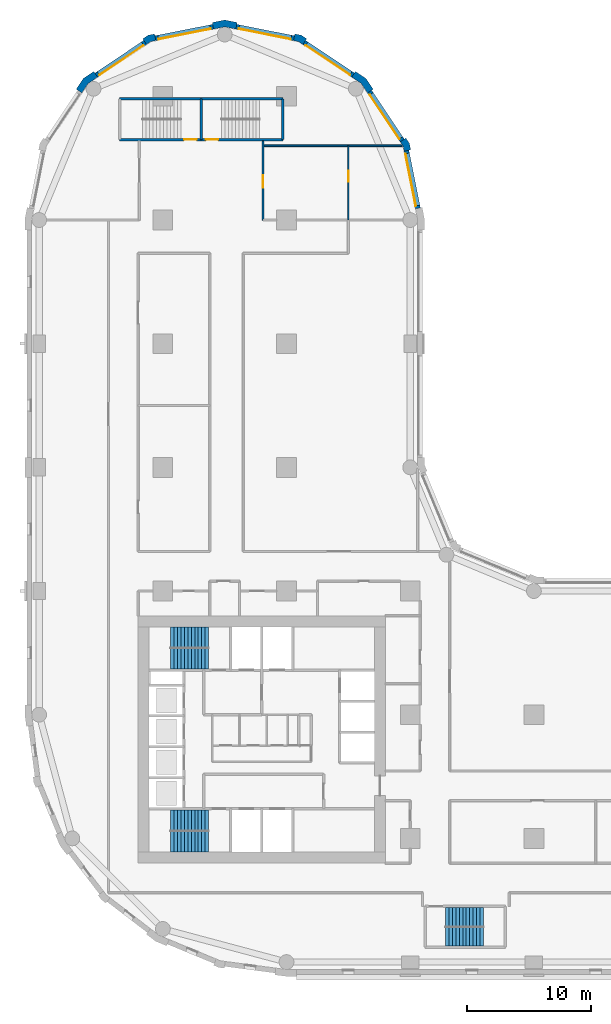
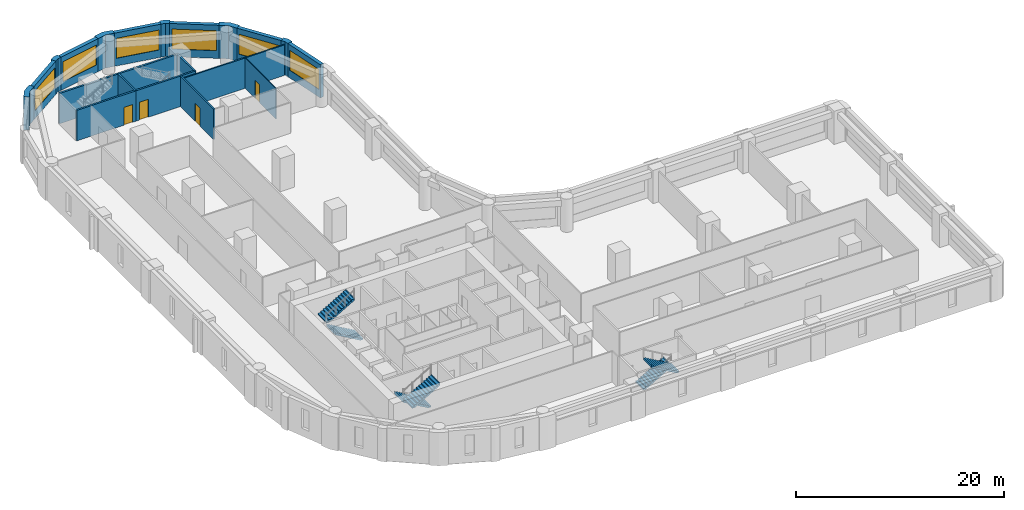
# One storey, part 7 of 10: 21 walls, 6 stair flights, 6 windows, 4 doors, 10 openings, 3 elements without a shape of their own.
"""IFC4 building model written with IfcOpenShell, lengths in metres."""

from ifc_helpers import new_model, si_unit, direction, frame, frame_2d, origin, place, context, subcontext, project, spatial, polyline, rectangle, outline, extrude, material, layer, layer_set, type_object, element, fill, aggregate, save


model = new_model("IFC4")

# Units and contexts
model_context = context("Model", 3, precision=1e-05, world=origin(), true_north=direction((0.0, 1.0)))
body_context = subcontext(model_context, "Body", "Model", "MODEL_VIEW")
ifc_project = project(units=[si_unit("LENGTHUNIT", "METRE"), si_unit("AREAUNIT", "SQUARE_METRE"), si_unit("VOLUMEUNIT", "CUBIC_METRE"), si_unit("PLANEANGLEUNIT", "RADIAN"), si_unit("MASSUNIT", "GRAM", prefix="KILO")], contexts=[model_context])

# Site, building, storey
site_placement = place(None, origin())
site = spatial("IfcSite", under=ifc_project, at=site_placement, CompositionType="ELEMENT")
building_placement = place(site_placement, origin())
building = spatial("IfcBuilding", under=site, at=building_placement, Name="Qaws Garden Tower", CompositionType="ELEMENT")
storey_placement = place(building_placement, frame((0.0, 0.0, 35.39990234375)))
storey = spatial("IfcBuildingStorey", under=building, at=storey_placement, Name="L08", CompositionType="ELEMENT", Elevation=35.39990234375)

# Wall, opening, window
ifc_material_1 = material(Name="Clay facing brick masonry", Category="masonry")
ifc_layer_1 = layer(ifc_material_1, 0.39990234375)
ifc_layer_set_1 = layer_set([ifc_layer_1], Name="Clay facing brick masonry")
wall_type_1 = type_object("IfcWallType", Name="Brick infill wall 400", PredefinedType="SOLIDWALL", material=ifc_layer_set_1)
wall_1_placement = place(storey_placement, frame((30.628662109375, 60.940673828125, 0.0), z_axis=(0.0, 0.0, 1.0), x_axis=(-0.195098533057, 0.98078364709, 0.0)))
wall_1 = element("IfcWall", 1, at=wall_1_placement, inside=storey, type_object=wall_type_1, Name="E-L08-infill-15", PredefinedType="SOLIDWALL", context=body_context, shape_type="SweptSolid", body=[
    extrude(rectangle(XDim=4.752685546875, YDim=0.39990234375, at=frame_2d((2.37646484375, 0.0))), origin(), (0.0, 0.0, 1.0), 3.900146484375),
])
opening_1_placement = place(wall_1_placement, frame((0.226318359375, 0.0, 0.89990234375)))
opening_1 = element("IfcOpeningElement", 2, at=opening_1_placement, cuts=wall_1, Name="Opening W06", PredefinedType="OPENING", context=body_context, shape_type="SweptSolid", body=[
    extrude(rectangle(XDim=4.300048828125, YDim=2.35009765625, at=frame_2d((2.14990234375, 1.175048828125))), frame((0.0, 0.2099609375, 0.0), z_axis=(0.0, -1.0, 0.0), x_axis=(1.0, 0.0, 0.0)), (0.0, 0.0, 1.0), 0.419921875),
])
ifc_material_2 = material(Name="Aluminium framed window, clear glazing", Category="aluminium")
window_type = type_object("IfcWindowType", Name="Ribbon window 4300 x 2350", PartitioningType="DOUBLE_PANEL_VERTICAL", PredefinedType="WINDOW", material=ifc_material_2)
window_1_placement = place(opening_1_placement, origin())
window_1 = element("IfcWindow", 3, at=window_1_placement, inside=storey, type_object=window_type, Name="E-L08-window-15-0", OverallHeight=2.35009765625, OverallWidth=4.300048828125, PartitioningType="SINGLE_PANEL", PredefinedType="WINDOW", context=body_context, shape_type="SweptSolid", body=[
    extrude(rectangle(XDim=4.300048828125, YDim=2.35009765625, at=frame_2d((2.14990234375, 1.175048828125))), frame((0.0, 0.159912109375, 0.0), z_axis=(0.0, -1.0, 0.0), x_axis=(1.0, 0.0, 0.0)), (0.0, 0.0, 1.0), 0.06005859375),
])
fill(opening_1, window_1)

wall_2_placement = place(storey_placement, frame((29.356689453125, 66.43408203125, 0.0), z_axis=(0.0, 0.0, 1.0), x_axis=(-0.555541552266, 0.831488775454, 0.0)))
wall_2 = element("IfcWall", 4, at=wall_2_placement, inside=storey, type_object=wall_type_1, Name="E-L08-infill-16", PredefinedType="SOLIDWALL", context=body_context, shape_type="SweptSolid", body=[
    extrude(rectangle(XDim=4.752685546875, YDim=0.39990234375, at=frame_2d((2.37646484375, 0.0))), origin(), (0.0, 0.0, 1.0), 3.900146484375),
])
opening_2_placement = place(wall_2_placement, frame((0.226318359375, 0.0, 0.89990234375)))
opening_2 = element("IfcOpeningElement", 5, at=opening_2_placement, cuts=wall_2, Name="Opening W06", PredefinedType="OPENING", context=body_context, shape_type="SweptSolid", body=[
    extrude(rectangle(XDim=4.300048828125, YDim=2.35009765625, at=frame_2d((2.14990234375, 1.175048828125))), frame((0.0, 0.2099609375, 0.0), z_axis=(0.0, -1.0, 0.0), x_axis=(1.0, 0.0, 0.0)), (0.0, 0.0, 1.0), 0.419921875),
])
window_2_placement = place(opening_2_placement, origin())
window_2 = element("IfcWindow", 6, at=window_2_placement, inside=storey, type_object=window_type, Name="E-L08-window-16-0", OverallHeight=2.35009765625, OverallWidth=4.300048828125, PartitioningType="SINGLE_PANEL", PredefinedType="WINDOW", context=body_context, shape_type="SweptSolid", body=[
    extrude(rectangle(XDim=4.300048828125, YDim=2.35009765625, at=frame_2d((2.14990234375, 1.175048828125))), frame((0.0, 0.159912109375, 0.0), z_axis=(0.0, -1.0, 0.0), x_axis=(1.0, 0.0, 0.0)), (0.0, 0.0, 1.0), 0.06005859375),
])
fill(opening_2, window_2)

wall_3_placement = place(storey_placement, frame((25.385986328125, 71.71630859375, 0.0), z_axis=(0.0, 0.0, 1.0), x_axis=(-0.831488775454, 0.555541552266, 0.0)))
wall_3 = element("IfcWall", 7, at=wall_3_placement, inside=storey, type_object=wall_type_1, Name="E-L08-infill-17", PredefinedType="SOLIDWALL", context=body_context, shape_type="SweptSolid", body=[
    extrude(rectangle(XDim=4.752685546875, YDim=0.39990234375, at=frame_2d((2.37646484375, 0.0))), origin(), (0.0, 0.0, 1.0), 3.900146484375),
])
opening_3_placement = place(wall_3_placement, frame((0.226318359375, 0.0, 0.89990234375)))
opening_3 = element("IfcOpeningElement", 8, at=opening_3_placement, cuts=wall_3, Name="Opening W06", PredefinedType="OPENING", context=body_context, shape_type="SweptSolid", body=[
    extrude(rectangle(XDim=4.300048828125, YDim=2.35009765625, at=frame_2d((2.14990234375, 1.175048828125))), frame((0.0, 0.2099609375, 0.0), z_axis=(0.0, -1.0, 0.0), x_axis=(1.0, 0.0, 0.0)), (0.0, 0.0, 1.0), 0.419921875),
])
window_3_placement = place(opening_3_placement, origin())
window_3 = element("IfcWindow", 9, at=window_3_placement, inside=storey, type_object=window_type, Name="E-L08-window-17-0", OverallHeight=2.35009765625, OverallWidth=4.300048828125, PartitioningType="SINGLE_PANEL", PredefinedType="WINDOW", context=body_context, shape_type="SweptSolid", body=[
    extrude(rectangle(XDim=4.300048828125, YDim=2.35009765625, at=frame_2d((2.14990234375, 1.175048828125))), frame((0.0, 0.159912109375, 0.0), z_axis=(0.0, -1.0, 0.0), x_axis=(1.0, 0.0, 0.0)), (0.0, 0.0, 1.0), 0.06005859375),
])
fill(opening_3, window_3)

wall_4_placement = place(storey_placement, frame((20.60205078125, 74.701416015625, 0.0), z_axis=(0.0, 0.0, 1.0), x_axis=(-0.98078364709, 0.195098533057, 0.0)))
wall_4 = element("IfcWall", 10, at=wall_4_placement, inside=storey, type_object=wall_type_1, Name="E-L08-infill-18", PredefinedType="SOLIDWALL", context=body_context, shape_type="SweptSolid", body=[
    extrude(rectangle(XDim=4.752685546875, YDim=0.39990234375, at=frame_2d((2.37646484375, 0.0))), origin(), (0.0, 0.0, 1.0), 3.900146484375),
])
opening_4_placement = place(wall_4_placement, frame((0.226318359375, 0.0, 0.89990234375)))
opening_4 = element("IfcOpeningElement", 11, at=opening_4_placement, cuts=wall_4, Name="Opening W06", PredefinedType="OPENING", context=body_context, shape_type="SweptSolid", body=[
    extrude(rectangle(XDim=4.300048828125, YDim=2.35009765625, at=frame_2d((2.14990234375, 1.175048828125))), frame((0.0, 0.2099609375, 0.0), z_axis=(0.0, -1.0, 0.0), x_axis=(1.0, 0.0, 0.0)), (0.0, 0.0, 1.0), 0.419921875),
])
window_4_placement = place(opening_4_placement, origin())
window_4 = element("IfcWindow", 12, at=window_4_placement, inside=storey, type_object=window_type, Name="E-L08-window-18-0", OverallHeight=2.35009765625, OverallWidth=4.300048828125, PartitioningType="SINGLE_PANEL", PredefinedType="WINDOW", context=body_context, shape_type="SweptSolid", body=[
    extrude(rectangle(XDim=4.300048828125, YDim=2.35009765625, at=frame_2d((2.14990234375, 1.175048828125))), frame((0.0, 0.159912109375, 0.0), z_axis=(0.0, -1.0, 0.0), x_axis=(1.0, 0.0, 0.0)), (0.0, 0.0, 1.0), 0.06005859375),
])
fill(opening_4, window_4)

wall_5_placement = place(storey_placement, frame((14.059326171875, 75.628662109375, 0.0), z_axis=(0.0, 0.0, 1.0), x_axis=(-0.98078364709, -0.195098533057, 0.0)))
wall_5 = element("IfcWall", 13, at=wall_5_placement, inside=storey, type_object=wall_type_1, Name="E-L08-infill-19", PredefinedType="SOLIDWALL", context=body_context, shape_type="SweptSolid", body=[
    extrude(rectangle(XDim=4.752685546875, YDim=0.39990234375, at=frame_2d((2.37646484375, 0.0))), origin(), (0.0, 0.0, 1.0), 3.900146484375),
])
opening_5_placement = place(wall_5_placement, frame((0.226318359375, 0.0, 0.89990234375)))
opening_5 = element("IfcOpeningElement", 14, at=opening_5_placement, cuts=wall_5, Name="Opening W06", PredefinedType="OPENING", context=body_context, shape_type="SweptSolid", body=[
    extrude(rectangle(XDim=4.300048828125, YDim=2.35009765625, at=frame_2d((2.14990234375, 1.175048828125))), frame((0.0, 0.2099609375, 0.0), z_axis=(0.0, -1.0, 0.0), x_axis=(1.0, 0.0, 0.0)), (0.0, 0.0, 1.0), 0.419921875),
])
window_5_placement = place(opening_5_placement, origin())
window_5 = element("IfcWindow", 15, at=window_5_placement, inside=storey, type_object=window_type, Name="E-L08-window-19-0", OverallHeight=2.35009765625, OverallWidth=4.300048828125, PartitioningType="SINGLE_PANEL", PredefinedType="WINDOW", context=body_context, shape_type="SweptSolid", body=[
    extrude(rectangle(XDim=4.300048828125, YDim=2.35009765625, at=frame_2d((2.14990234375, 1.175048828125))), frame((0.0, 0.159912109375, 0.0), z_axis=(0.0, -1.0, 0.0), x_axis=(1.0, 0.0, 0.0)), (0.0, 0.0, 1.0), 0.06005859375),
])
fill(opening_5, window_5)

wall_6_placement = place(storey_placement, frame((8.56591796875, 74.356689453125, 0.0), z_axis=(0.0, 0.0, 1.0), x_axis=(-0.831488775454, -0.555541552266, 0.0)))
wall_6 = element("IfcWall", 16, at=wall_6_placement, inside=storey, type_object=wall_type_1, Name="E-L08-infill-20", PredefinedType="SOLIDWALL", context=body_context, shape_type="SweptSolid", body=[
    extrude(rectangle(XDim=4.752685546875, YDim=0.39990234375, at=frame_2d((2.37646484375, 0.0))), origin(), (0.0, 0.0, 1.0), 3.900146484375),
])
opening_6_placement = place(wall_6_placement, frame((0.226318359375, 0.0, 0.89990234375)))
opening_6 = element("IfcOpeningElement", 17, at=opening_6_placement, cuts=wall_6, Name="Opening W06", PredefinedType="OPENING", context=body_context, shape_type="SweptSolid", body=[
    extrude(rectangle(XDim=4.300048828125, YDim=2.35009765625, at=frame_2d((2.14990234375, 1.175048828125))), frame((0.0, 0.2099609375, 0.0), z_axis=(0.0, -1.0, 0.0), x_axis=(1.0, 0.0, 0.0)), (0.0, 0.0, 1.0), 0.419921875),
])
window_6_placement = place(opening_6_placement, origin())
window_6 = element("IfcWindow", 18, at=window_6_placement, inside=storey, type_object=window_type, Name="E-L08-window-20-0", OverallHeight=2.35009765625, OverallWidth=4.300048828125, PartitioningType="SINGLE_PANEL", PredefinedType="WINDOW", context=body_context, shape_type="SweptSolid", body=[
    extrude(rectangle(XDim=4.300048828125, YDim=2.35009765625, at=frame_2d((2.14990234375, 1.175048828125))), frame((0.0, 0.159912109375, 0.0), z_axis=(0.0, -1.0, 0.0), x_axis=(1.0, 0.0, 0.0)), (0.0, 0.0, 1.0), 0.06005859375),
])
fill(opening_6, window_6)

# Walls
ifc_material_3 = material(Name="Clay facing brick masonry", Category="masonry")
ifc_layer_2 = layer(ifc_material_3, 0.550048828125)
ifc_layer_set_2 = layer_set([ifc_layer_2], Name="Clay facing brick masonry")
wall_type_2 = type_object("IfcWallType", Name="Brick kink pier 550 x 600", PredefinedType="SOLIDWALL", material=ifc_layer_set_2)
placement = place(storey_placement, origin())
element("IfcWall", 19, at=placement, inside=storey, type_object=wall_type_2, Name="E-L08-pier-16", PredefinedType="SOLIDWALL", context=body_context, shape_type="SweptSolid", body=[
    extrude(outline(polyline([(29.8974609375, 65.64111328125), (30.044677734375, 65.67041015625), (29.94140625, 66.18896484375), (29.647705078125, 66.628662109375), (29.52294921875, 66.545166015625), (29.1904296875, 66.322998046875), (29.42333984375, 65.974365234375), (29.505126953125, 65.56298828125), (29.8974609375, 65.64111328125)])), origin(), (0.0, 0.0, 1.0), 3.900146484375),
])
element("IfcWall", 20, at=placement, inside=storey, type_object=wall_type_2, Name="E-L08-pier-18", PredefinedType="SOLIDWALL", context=body_context, shape_type="SweptSolid", body=[
    extrude(outline(polyline([(21.545166015625, 74.52294921875), (21.628662109375, 74.647705078125), (21.18896484375, 74.94140625), (20.67041015625, 75.044677734375), (20.64111328125, 74.8974609375), (20.56298828125, 74.505126953125), (20.974365234375, 74.42333984375), (21.322998046875, 74.1904296875), (21.545166015625, 74.52294921875)])), origin(), (0.0, 0.0, 1.0), 3.900146484375),
])
element("IfcWall", 21, at=placement, inside=storey, type_object=wall_type_2, Name="E-L08-pier-20", PredefinedType="SOLIDWALL", context=body_context, shape_type="SweptSolid", body=[
    extrude(outline(polyline([(9.35888671875, 74.8974609375), (9.32958984375, 75.044677734375), (8.81103515625, 74.94140625), (8.371337890625, 74.647705078125), (8.454833984375, 74.52294921875), (8.677001953125, 74.1904296875), (9.025634765625, 74.42333984375), (9.43701171875, 74.505126953125), (9.35888671875, 74.8974609375)])), origin(), (0.0, 0.0, 1.0), 3.900146484375),
])
ifc_material_4 = material(Name="Clay facing brick masonry", Category="masonry")
ifc_layer_3 = layer(ifc_material_4, 0.550048828125)
ifc_layer_set_3 = layer_set([ifc_layer_3], Name="Clay facing brick masonry")
wall_type_3 = type_object("IfcWallType", Name="Brick pier 550 x 1600", PredefinedType="SOLIDWALL", material=ifc_layer_set_3)
element("IfcWall", 22, at=placement, inside=storey, type_object=wall_type_3, Name="E-L08-pier-17", PredefinedType="SOLIDWALL", context=body_context, shape_type="SweptSolid", body=[
    extrude(outline(polyline([(26.882568359375, 70.4970703125), (27.00732421875, 70.580322265625), (26.435791015625, 71.435791015625), (25.580322265625, 72.00732421875), (25.4970703125, 71.882568359375), (25.274658203125, 71.550048828125), (26.0390625, 71.0390625), (26.550048828125, 70.274658203125), (26.882568359375, 70.4970703125)])), origin(), (0.0, 0.0, 1.0), 3.900146484375),
])
element("IfcWall", 23, at=placement, inside=storey, type_object=wall_type_3, Name="E-L08-pier-19", PredefinedType="SOLIDWALL", context=body_context, shape_type="SweptSolid", body=[
    extrude(outline(polyline([(15.979736328125, 75.82470703125), (16.009033203125, 75.971923828125), (15.0, 76.172607421875), (13.990966796875, 75.971923828125), (14.020263671875, 75.82470703125), (14.098388671875, 75.432373046875), (15.0, 75.61181640625), (15.901611328125, 75.432373046875), (15.979736328125, 75.82470703125)])), origin(), (0.0, 0.0, 1.0), 3.900146484375),
])
element("IfcWall", 24, at=placement, inside=storey, type_object=wall_type_3, Name="E-L08-pier-21", PredefinedType="SOLIDWALL", context=body_context, shape_type="SweptSolid", body=[
    extrude(outline(polyline([(4.5029296875, 71.882568359375), (4.419677734375, 72.00732421875), (3.564208984375, 71.435791015625), (2.99267578125, 70.580322265625), (3.117431640625, 70.4970703125), (3.449951171875, 70.274658203125), (3.9609375, 71.0390625), (4.725341796875, 71.550048828125), (4.5029296875, 71.882568359375)])), origin(), (0.0, 0.0, 1.0), 3.900146484375),
])

# Wall, opening, door
ifc_material_5 = material(Name="Concrete C80", Category="concrete")
ifc_layer_4 = layer(ifc_material_5, 0.199951171875)
ifc_layer_set_4 = layer_set([ifc_layer_4], Name="Concrete C80")
wall_type_4 = type_object("IfcWallType", Name="Core shaft wall 200 C80", PredefinedType="SHEAR", material=ifc_layer_set_4)
wall_13_placement = place(storey_placement, frame((6.5, 66.5, 0.0), z_axis=(0.0, 0.0, 1.0), x_axis=(1.0, 0.0, 0.0)))
wall_13 = element("IfcWall", 25, at=wall_13_placement, inside=storey, type_object=wall_type_4, Name="Shaft wall", PredefinedType="SHEAR", context=body_context, shape_type="SweptSolid", body=[
    extrude(rectangle(XDim=6.60009765625, YDim=0.199951171875, at=frame_2d((3.300048828125, 0.0))), origin(), (0.0, 0.0, 1.0), 3.580078125),
])
opening_7_placement = place(wall_13_placement, frame((5.22509765625, 0.0, 0.0)))
opening_7 = element("IfcOpeningElement", 26, at=opening_7_placement, cuts=wall_13, Name="Opening SD13", PredefinedType="OPENING", context=body_context, shape_type="SweptSolid", body=[
    extrude(rectangle(XDim=1.0, YDim=2.10009765625, at=frame_2d((0.5, 1.050048828125))), frame((0.0, 0.10986328125, 0.0), z_axis=(0.0, -1.0, 0.0), x_axis=(1.0, 0.0, 0.0)), (0.0, 0.0, 1.0), 0.219970703125),
])
ifc_material_6 = material(Name="Steel S235", Category="steel")
door_type_1 = type_object("IfcDoorType", Name="Stair door 1000x2100", OperationType="SINGLE_SWING_RIGHT", PredefinedType="DOOR", material=ifc_material_6)
door_1_placement = place(opening_7_placement, origin())
door_1 = element("IfcDoor", 27, at=door_1_placement, inside=storey, type_object=door_type_1, Name="Stair 6 door", OperationType="SINGLE_SWING_RIGHT", OverallHeight=2.10009765625, OverallWidth=1.0, PredefinedType="DOOR", context=body_context, shape_type="SweptSolid", body=[
    extrude(rectangle(XDim=1.0, YDim=2.10009765625, at=frame_2d((0.5, 1.050048828125))), frame((0.0, 0.02490234375, 0.0), z_axis=(0.0, -1.0, 0.0), x_axis=(1.0, 0.0, 0.0)), (0.0, 0.0, 1.0), 0.050048828125),
])
fill(opening_7, door_1)

wall_14_placement = place(storey_placement, frame((13.10009765625, 66.5, 0.0), z_axis=(0.0, 0.0, 1.0), x_axis=(1.0, 0.0, 0.0)))
wall_14 = element("IfcWall", 28, at=wall_14_placement, inside=storey, type_object=wall_type_4, Name="Shaft wall", PredefinedType="SHEAR", context=body_context, shape_type="SweptSolid", body=[
    extrude(rectangle(XDim=6.599853515625, YDim=0.199951171875, at=frame_2d((3.2998046875, 0.0))), origin(), (0.0, 0.0, 1.0), 3.580078125),
])
opening_8_placement = place(wall_14_placement, frame((0.375, 0.0, 0.0)))
opening_8 = element("IfcOpeningElement", 29, at=opening_8_placement, cuts=wall_14, Name="Opening SD14", PredefinedType="OPENING", context=body_context, shape_type="SweptSolid", body=[
    extrude(rectangle(XDim=1.0, YDim=2.10009765625, at=frame_2d((0.5, 1.050048828125))), frame((0.0, 0.10986328125, 0.0), z_axis=(0.0, -1.0, 0.0), x_axis=(1.0, 0.0, 0.0)), (0.0, 0.0, 1.0), 0.219970703125),
])
door_2_placement = place(opening_8_placement, origin())
door_2 = element("IfcDoor", 30, at=door_2_placement, inside=storey, type_object=door_type_1, Name="Stair 7 door", OperationType="SINGLE_SWING_LEFT", OverallHeight=2.10009765625, OverallWidth=1.0, PredefinedType="DOOR", context=body_context, shape_type="SweptSolid", body=[
    extrude(rectangle(XDim=1.0, YDim=2.10009765625, at=frame_2d((0.5, 1.050048828125))), frame((0.0, 0.02490234375, 0.0), z_axis=(0.0, -1.0, 0.0), x_axis=(1.0, 0.0, 0.0)), (0.0, 0.0, 1.0), 0.050048828125),
])
fill(opening_8, door_2)

# Walls
wall_15_placement = place(storey_placement, frame((6.5, 69.800048828125, 0.0), z_axis=(0.0, 0.0, 1.0), x_axis=(1.0, 0.0, 0.0)))
element("IfcWall", 31, at=wall_15_placement, inside=storey, type_object=wall_type_4, Name="Shaft wall", PredefinedType="SHEAR", context=body_context, shape_type="SweptSolid", body=[
    extrude(rectangle(XDim=6.60009765625, YDim=0.199951171875, at=frame_2d((3.300048828125, 0.0))), origin(), (0.0, 0.0, 1.0), 3.580078125),
])
wall_16_placement = place(storey_placement, frame((13.10009765625, 69.800048828125, 0.0), z_axis=(0.0, 0.0, 1.0), x_axis=(1.0, 0.0, 0.0)))
element("IfcWall", 32, at=wall_16_placement, inside=storey, type_object=wall_type_4, Name="Shaft wall", PredefinedType="SHEAR", context=body_context, shape_type="SweptSolid", body=[
    extrude(rectangle(XDim=6.599853515625, YDim=0.199951171875, at=frame_2d((3.2998046875, 0.0))), origin(), (0.0, 0.0, 1.0), 3.580078125),
])
for number, where, z_axis, x_axis, name in (
    (33, (13.10009765625, 66.5, 0.0), (0.0, 0.0, 1.0), (0.0, 1.0, 0.0), "Shaft wall"),
    (34, (19.699951171875, 66.5, 0.0), (0.0, 0.0, 1.0), (0.0, 1.0, 0.0), "Shaft wall"),
):
    element("IfcWall", number, at=place(storey_placement, frame(where, z_axis=z_axis, x_axis=x_axis)), inside=storey, type_object=wall_type_4, Name=name, PredefinedType="SHEAR", context=body_context, shape_type="SweptSolid", body=[
        extrude(rectangle(XDim=3.300048828125, YDim=0.199951171875, at=frame_2d((1.64990234375, 0.0))), origin(), (0.0, 0.0, 1.0), 3.580078125),
    ])

# Wall, opening, door
ifc_material_7 = material(Name="Gypsum board partition")
ifc_layer_5 = layer(ifc_material_7, 0.10009765625)
ifc_layer_set_5 = layer_set([ifc_layer_5], Name="Gypsum board partition")
wall_type_5 = type_object("IfcWallType", Name="PARTITION 100", PredefinedType="PARTITIONING", material=ifc_layer_set_5)
wall_17_placement = place(storey_placement, frame((25.0, 60.0, 0.0), z_axis=(0.0, 0.0, 1.0), x_axis=(0.0, 1.0, 0.0)))
wall_17 = element("IfcWall", 35, at=wall_17_placement, inside=storey, type_object=wall_type_5, Name="O-L08-wall-001", PredefinedType="PARTITIONING", context=body_context, shape_type="SweptSolid", body=[
    extrude(rectangle(XDim=6.0, YDim=0.10009765625, at=frame_2d((3.0, 0.0))), origin(), (0.0, 0.0, 1.0), 3.580078125),
])
opening_9_placement = place(wall_17_placement, frame((3.10009765625, 0.0, 0.0)))
opening_9 = element("IfcOpeningElement", 36, at=opening_9_placement, cuts=wall_17, Name="Opening A320", PredefinedType="OPENING", context=body_context, shape_type="SweptSolid", body=[
    extrude(rectangle(XDim=0.89990234375, YDim=2.10009765625, at=frame_2d((0.449951171875, 1.050048828125))), frame((0.0, 0.06005859375, 0.0), z_axis=(0.0, -1.0, 0.0), x_axis=(1.0, 0.0, 0.0)), (0.0, 0.0, 1.0), 0.1201171875),
])
ifc_material_8 = material(Name="Timber door leaf", Category="wood")
door_type_2 = type_object("IfcDoorType", Name="OFFICE DOOR 900 X 2100", OperationType="SINGLE_SWING_LEFT", PredefinedType="DOOR", material=ifc_material_8)
door_3_placement = place(opening_9_placement, frame((0.89990234375, 0.0, 0.0), z_axis=(0.0, 0.0, 1.0), x_axis=(-1.0, 0.0, 0.0)))
door_3 = element("IfcDoor", 37, at=door_3_placement, inside=storey, type_object=door_type_2, Name="O-L08-door-020", OperationType="SINGLE_SWING_RIGHT", OverallHeight=2.10009765625, OverallWidth=0.89990234375, PredefinedType="DOOR", context=body_context, shape_type="SweptSolid", body=[
    extrude(rectangle(XDim=0.89990234375, YDim=2.10009765625, at=frame_2d((0.449951171875, 1.050048828125))), frame((0.0, 0.02490234375, 0.0), z_axis=(0.0, -1.0, 0.0), x_axis=(1.0, 0.0, 0.0)), (0.0, 0.0, 1.0), 0.050048828125),
])
fill(opening_9, door_3)

ifc_material_9 = material(Name="Gypsum board partition")
ifc_layer_6 = layer(ifc_material_9, 0.14990234375)
ifc_layer_set_6 = layer_set([ifc_layer_6], Name="Gypsum board partition")
wall_type_6 = type_object("IfcWallType", Name="PARTITION 150 EI 60", PredefinedType="PARTITIONING", material=ifc_layer_set_6)
wall_18_placement = place(storey_placement, frame((18.10009765625, 60.0, 0.0), z_axis=(0.0, 0.0, 1.0), x_axis=(0.0, 1.0, 0.0)))
wall_18 = element("IfcWall", 38, at=wall_18_placement, inside=storey, type_object=wall_type_6, Name="O-L08-wall-010", PredefinedType="PARTITIONING", context=body_context, shape_type="SweptSolid", body=[
    extrude(rectangle(XDim=6.39990234375, YDim=0.14990234375, at=frame_2d((3.199951171875, 0.0))), origin(), (0.0, 0.0, 1.0), 3.580078125),
])
opening_10_placement = place(wall_18_placement, frame((2.60009765625, 0.0, 0.0)))
opening_10 = element("IfcOpeningElement", 39, at=opening_10_placement, cuts=wall_18, Name="Opening A310", PredefinedType="OPENING", context=body_context, shape_type="SweptSolid", body=[
    extrude(rectangle(XDim=1.0, YDim=2.10009765625, at=frame_2d((0.5, 1.050048828125))), frame((0.0, 0.0849609375, 0.0), z_axis=(0.0, -1.0, 0.0), x_axis=(1.0, 0.0, 0.0)), (0.0, 0.0, 1.0), 0.169921875),
])
ifc_material_10 = material(Name="Timber door leaf", Category="wood")
door_type_3 = type_object("IfcDoorType", Name="TENANCY ENTRANCE DOOR 1000 X 2100", OperationType="SINGLE_SWING_LEFT", PredefinedType="DOOR", material=ifc_material_10)
door_4_placement = place(opening_10_placement, frame((1.0, 0.0, 0.0), z_axis=(0.0, 0.0, 1.0), x_axis=(-1.0, 0.0, 0.0)))
door_4 = element("IfcDoor", 40, at=door_4_placement, inside=storey, type_object=door_type_3, Name="O-L08-door-010", OperationType="SINGLE_SWING_RIGHT", OverallHeight=2.10009765625, OverallWidth=1.0, PredefinedType="DOOR", context=body_context, shape_type="SweptSolid", body=[
    extrude(rectangle(XDim=1.0, YDim=2.10009765625, at=frame_2d((0.5, 1.050048828125))), frame((0.0, 0.02490234375, 0.0), z_axis=(0.0, -1.0, 0.0), x_axis=(1.0, 0.0, 0.0)), (0.0, 0.0, 1.0), 0.050048828125),
])
fill(opening_10, door_4)

# Wall
wall_19_placement = place(storey_placement, frame((18.10009765625, 66.0, 0.0), z_axis=(0.0, 0.0, 1.0), x_axis=(1.0, 0.0, 0.0)))
element("IfcWall", 41, at=wall_19_placement, inside=storey, type_object=wall_type_6, Name="O-L08-wall-055", PredefinedType="PARTITIONING", context=body_context, shape_type="SweptSolid", body=[
    extrude(rectangle(XDim=11.256103515625, YDim=0.14990234375, at=frame_2d((5.6279296875, 0.0))), origin(), (0.0, 0.0, 1.0), 3.580078125),
])

# Stair, stair flights
ifc_material_11 = material(Name="Concrete C40", Category="concrete")
stair_type_1 = type_object("IfcStairType", Name="Exit stair 1350", PredefinedType="HALF_TURN_STAIR", material=ifc_material_11)
stair_1 = element("IfcStair", 42, at=placement, inside=storey, type_object=stair_type_1, Name="Stair 5", PredefinedType="HALF_TURN_STAIR")
ifc_material_12 = material(Name="Concrete C40", Category="concrete")
stair_flight_type_1 = type_object("IfcStairFlightType", Name="Stair flight 1350", PredefinedType="STRAIGHT", material=ifc_material_12)
stair_flight_1_placement = place(storey_placement, frame((32.85009765625, 3.625, 0.0), z_axis=(0.0, 0.0, 1.0), x_axis=(1.0, 0.0, 0.0)))
stair_flight_1 = element("IfcStairFlight", 43, at=stair_flight_1_placement, type_object=stair_flight_type_1, Name="ST5 flight 1", NumberOfRisers=12, NumberOfTreads=11, PredefinedType="STRAIGHT", RiserHeight=0.1625, TreadLength=0.28, context=body_context, shape_type="SweptSolid", body=[
    extrude(outline(polyline([(-0.0029296875, 0.0), (-0.0029296875, 0.16259765625), (0.0, 0.16259765625), (0.280029296875, 0.16259765625), (0.280029296875, 0.324951171875), (0.56005859375, 0.324951171875), (0.56005859375, 0.487548828125), (0.840087890625, 0.487548828125), (0.840087890625, 0.64990234375), (1.1201171875, 0.64990234375), (1.1201171875, 0.8125), (1.39990234375, 0.8125), (1.39990234375, 0.97509765625), (1.679931640625, 0.97509765625), (1.679931640625, 1.137451171875), (1.9599609375, 1.137451171875), (1.9599609375, 1.300048828125), (2.239990234375, 1.300048828125), (2.239990234375, 1.46240234375), (2.52001953125, 1.46240234375), (2.52001953125, 1.625), (2.800048828125, 1.625), (2.800048828125, 1.78759765625), (3.080078125, 1.78759765625), (3.080078125, 1.949951171875), (3.0830078125, 1.949951171875), (3.0830078125, 1.6142578125), (3.080078125, 1.6142578125), (0.298583984375, 0.0), (-0.0029296875, 0.0)])), frame((0.0, 0.77490234375, 0.0), z_axis=(0.0, -1.0, 0.0), x_axis=(1.0, 0.0, 0.0)), (0.0, 0.0, 1.0), 1.550048828125),
])
stair_flight_2_placement = place(storey_placement, frame((35.929931640625, 2.074951171875, 1.9501953125), z_axis=(0.0, 0.0, 1.0), x_axis=(-1.0, 0.0, 0.0)))
stair_flight_2 = element("IfcStairFlight", 44, at=stair_flight_2_placement, type_object=stair_flight_type_1, Name="ST5 flight 2", NumberOfRisers=12, NumberOfTreads=11, PredefinedType="STRAIGHT", RiserHeight=0.1625, TreadLength=0.28, context=body_context, shape_type="SweptSolid", body=[
    extrude(outline(polyline([(-0.0029296875, 0.0), (-0.0029296875, 0.16259765625), (0.0, 0.16259765625), (0.280029296875, 0.16259765625), (0.280029296875, 0.324951171875), (0.56005859375, 0.324951171875), (0.56005859375, 0.487548828125), (0.840087890625, 0.487548828125), (0.840087890625, 0.64990234375), (1.1201171875, 0.64990234375), (1.1201171875, 0.8125), (1.39990234375, 0.8125), (1.39990234375, 0.97509765625), (1.679931640625, 0.97509765625), (1.679931640625, 1.137451171875), (1.9599609375, 1.137451171875), (1.9599609375, 1.300048828125), (2.239990234375, 1.300048828125), (2.239990234375, 1.46240234375), (2.52001953125, 1.46240234375), (2.52001953125, 1.625), (2.800048828125, 1.625), (2.800048828125, 1.78759765625), (3.080078125, 1.78759765625), (3.080078125, 1.949951171875), (3.0830078125, 1.949951171875), (3.0830078125, 1.6142578125), (3.080078125, 1.6142578125), (0.298583984375, 0.0), (-0.0029296875, 0.0)])), frame((0.0, 0.77490234375, 0.0), z_axis=(0.0, -1.0, 0.0), x_axis=(1.0, 0.0, 0.0)), (0.0, 0.0, 1.0), 1.550048828125),
])
aggregate(stair_1, [stair_flight_1, stair_flight_2])

ifc_material_13 = material(Name="Concrete C40", Category="concrete")
stair_type_2 = type_object("IfcStairType", Name="Exit stair 1500", PredefinedType="HALF_TURN_STAIR", material=ifc_material_13)
stair_2 = element("IfcStair", 45, at=placement, inside=storey, type_object=stair_type_2, Name="Stair 1", PredefinedType="HALF_TURN_STAIR")
ifc_material_14 = material(Name="Concrete C40", Category="concrete")
stair_flight_type_2 = type_object("IfcStairFlightType", Name="Stair flight 1500", PredefinedType="STRAIGHT", material=ifc_material_14)
stair_flight_3_placement = place(storey_placement, frame((13.699951171875, 11.449951171875, 0.0), z_axis=(0.0, 0.0, 1.0), x_axis=(-1.0, 0.0, 0.0)))
stair_flight_3 = element("IfcStairFlight", 46, at=stair_flight_3_placement, type_object=stair_flight_type_2, Name="ST1 flight 1", NumberOfRisers=12, NumberOfTreads=11, PredefinedType="STRAIGHT", RiserHeight=0.1625, TreadLength=0.28, context=body_context, shape_type="SweptSolid", body=[
    extrude(outline(polyline([(-0.0029296875, 0.0), (-0.0029296875, 0.16259765625), (0.0, 0.16259765625), (0.280029296875, 0.16259765625), (0.280029296875, 0.324951171875), (0.56005859375, 0.324951171875), (0.56005859375, 0.487548828125), (0.840087890625, 0.487548828125), (0.840087890625, 0.64990234375), (1.1201171875, 0.64990234375), (1.1201171875, 0.8125), (1.39990234375, 0.8125), (1.39990234375, 0.97509765625), (1.679931640625, 0.97509765625), (1.679931640625, 1.137451171875), (1.9599609375, 1.137451171875), (1.9599609375, 1.300048828125), (2.239990234375, 1.300048828125), (2.239990234375, 1.46240234375), (2.52001953125, 1.46240234375), (2.52001953125, 1.625), (2.800048828125, 1.625), (2.800048828125, 1.78759765625), (3.080078125, 1.78759765625), (3.080078125, 1.949951171875), (3.0830078125, 1.949951171875), (3.0830078125, 1.6142578125), (3.080078125, 1.6142578125), (0.298583984375, 0.0), (-0.0029296875, 0.0)])), frame((0.0, 0.85009765625, 0.0), z_axis=(0.0, -1.0, 0.0), x_axis=(1.0, 0.0, 0.0)), (0.0, 0.0, 1.0), 1.699951171875),
])
stair_flight_4_placement = place(storey_placement, frame((10.6201171875, 9.75, 1.9501953125), z_axis=(0.0, 0.0, 1.0), x_axis=(1.0, 0.0, 0.0)))
stair_flight_4 = element("IfcStairFlight", 47, at=stair_flight_4_placement, type_object=stair_flight_type_2, Name="ST1 flight 2", NumberOfRisers=12, NumberOfTreads=11, PredefinedType="STRAIGHT", RiserHeight=0.1625, TreadLength=0.28, context=body_context, shape_type="SweptSolid", body=[
    extrude(outline(polyline([(-0.0029296875, 0.0), (-0.0029296875, 0.16259765625), (0.0, 0.16259765625), (0.280029296875, 0.16259765625), (0.280029296875, 0.324951171875), (0.56005859375, 0.324951171875), (0.56005859375, 0.487548828125), (0.840087890625, 0.487548828125), (0.840087890625, 0.64990234375), (1.1201171875, 0.64990234375), (1.1201171875, 0.8125), (1.39990234375, 0.8125), (1.39990234375, 0.97509765625), (1.679931640625, 0.97509765625), (1.679931640625, 1.137451171875), (1.9599609375, 1.137451171875), (1.9599609375, 1.300048828125), (2.239990234375, 1.300048828125), (2.239990234375, 1.46240234375), (2.52001953125, 1.46240234375), (2.52001953125, 1.625), (2.800048828125, 1.625), (2.800048828125, 1.78759765625), (3.080078125, 1.78759765625), (3.080078125, 1.949951171875), (3.0830078125, 1.949951171875), (3.0830078125, 1.6142578125), (3.080078125, 1.6142578125), (0.298583984375, 0.0), (-0.0029296875, 0.0)])), frame((0.0, 0.85009765625, 0.0), z_axis=(0.0, -1.0, 0.0), x_axis=(1.0, 0.0, 0.0)), (0.0, 0.0, 1.0), 1.699951171875),
])
aggregate(stair_2, [stair_flight_3, stair_flight_4])

stair_3 = element("IfcStair", 48, at=placement, inside=storey, type_object=stair_type_2, Name="Stair 4", PredefinedType="HALF_TURN_STAIR")
stair_flight_5_placement = place(storey_placement, frame((13.699951171875, 24.550048828125, 0.0), z_axis=(0.0, 0.0, 1.0), x_axis=(-1.0, 0.0, 0.0)))
stair_flight_5 = element("IfcStairFlight", 49, at=stair_flight_5_placement, type_object=stair_flight_type_2, Name="ST4 flight 1", NumberOfRisers=12, NumberOfTreads=11, PredefinedType="STRAIGHT", RiserHeight=0.1625, TreadLength=0.28, context=body_context, shape_type="SweptSolid", body=[
    extrude(outline(polyline([(-0.0029296875, 0.0), (-0.0029296875, 0.16259765625), (0.0, 0.16259765625), (0.280029296875, 0.16259765625), (0.280029296875, 0.324951171875), (0.56005859375, 0.324951171875), (0.56005859375, 0.487548828125), (0.840087890625, 0.487548828125), (0.840087890625, 0.64990234375), (1.1201171875, 0.64990234375), (1.1201171875, 0.8125), (1.39990234375, 0.8125), (1.39990234375, 0.97509765625), (1.679931640625, 0.97509765625), (1.679931640625, 1.137451171875), (1.9599609375, 1.137451171875), (1.9599609375, 1.300048828125), (2.239990234375, 1.300048828125), (2.239990234375, 1.46240234375), (2.52001953125, 1.46240234375), (2.52001953125, 1.625), (2.800048828125, 1.625), (2.800048828125, 1.78759765625), (3.080078125, 1.78759765625), (3.080078125, 1.949951171875), (3.0830078125, 1.949951171875), (3.0830078125, 1.6142578125), (3.080078125, 1.6142578125), (0.298583984375, 0.0), (-0.0029296875, 0.0)])), frame((0.0, 0.844970703125, 0.0), z_axis=(0.0, -1.0, 0.0), x_axis=(1.0, 0.0, 0.0)), (0.0, 0.0, 1.0), 1.68994140625),
])
stair_flight_6_placement = place(storey_placement, frame((10.6201171875, 26.25, 1.9501953125), z_axis=(0.0, 0.0, 1.0), x_axis=(1.0, 0.0, 0.0)))
stair_flight_6 = element("IfcStairFlight", 50, at=stair_flight_6_placement, type_object=stair_flight_type_2, Name="ST4 flight 2", NumberOfRisers=12, NumberOfTreads=11, PredefinedType="STRAIGHT", RiserHeight=0.1625, TreadLength=0.28, context=body_context, shape_type="SweptSolid", body=[
    extrude(outline(polyline([(-0.0029296875, 0.0), (-0.0029296875, 0.16259765625), (0.0, 0.16259765625), (0.280029296875, 0.16259765625), (0.280029296875, 0.324951171875), (0.56005859375, 0.324951171875), (0.56005859375, 0.487548828125), (0.840087890625, 0.487548828125), (0.840087890625, 0.64990234375), (1.1201171875, 0.64990234375), (1.1201171875, 0.8125), (1.39990234375, 0.8125), (1.39990234375, 0.97509765625), (1.679931640625, 0.97509765625), (1.679931640625, 1.137451171875), (1.9599609375, 1.137451171875), (1.9599609375, 1.300048828125), (2.239990234375, 1.300048828125), (2.239990234375, 1.46240234375), (2.52001953125, 1.46240234375), (2.52001953125, 1.625), (2.800048828125, 1.625), (2.800048828125, 1.78759765625), (3.080078125, 1.78759765625), (3.080078125, 1.949951171875), (3.0830078125, 1.949951171875), (3.0830078125, 1.6142578125), (3.080078125, 1.6142578125), (0.298583984375, 0.0), (-0.0029296875, 0.0)])), frame((0.0, 0.844970703125, 0.0), z_axis=(0.0, -1.0, 0.0), x_axis=(1.0, 0.0, 0.0)), (0.0, 0.0, 1.0), 1.68994140625),
])
aggregate(stair_3, [stair_flight_5, stair_flight_6])

save(model, "model.ifc")
